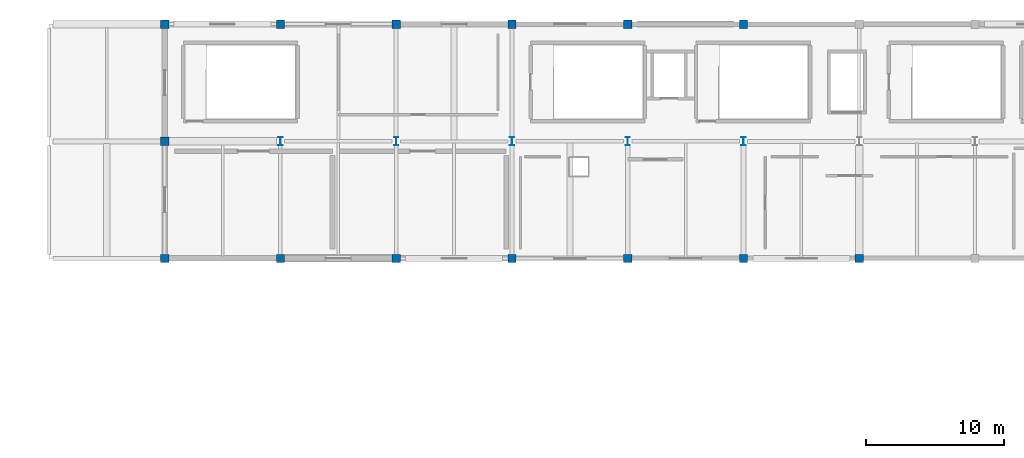
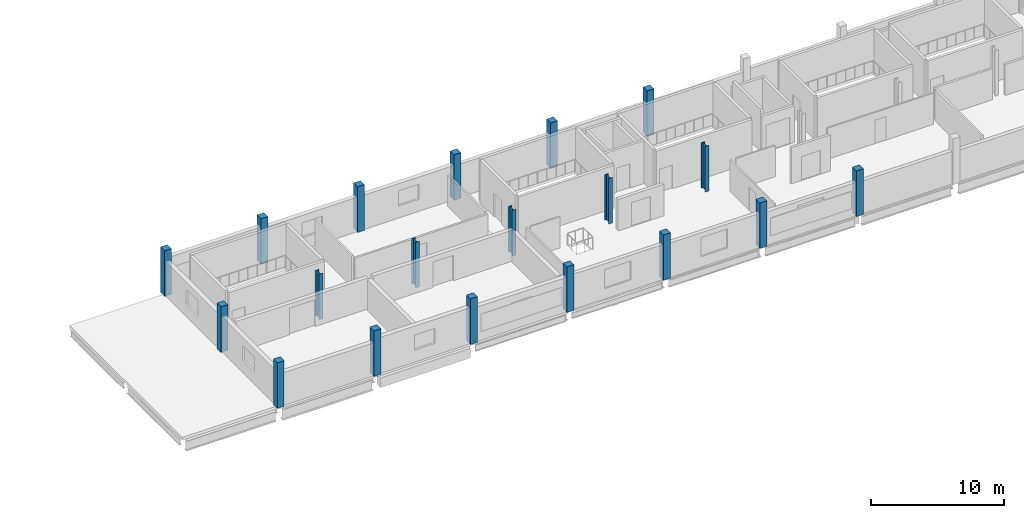
# One storey, part 1 of 13: 19 columns.
"""IFC4 building model written with IfcOpenShell, lengths in metres."""

from ifc_helpers import new_model, si_unit, direction, frame, origin, origin_2d, place, context, subcontext, project, spatial, rectangle, i_section, extrude, material, material_profile, profile_set, type_object, element, save


model = new_model("IFC4")

# Units and contexts
model_context = context("Model", 3, precision=1e-05, world=origin(), true_north=direction((0.0, 1.0)))
body_context = subcontext(model_context, "Body", "Model", "MODEL_VIEW")
ifc_project = project(units=[si_unit("LENGTHUNIT", "METRE"), si_unit("AREAUNIT", "SQUARE_METRE"), si_unit("VOLUMEUNIT", "CUBIC_METRE"), si_unit("PLANEANGLEUNIT", "RADIAN"), si_unit("MASSUNIT", "GRAM", prefix="KILO")], contexts=[model_context])

# Site, building, storey
site_placement = place(None, origin())
site = spatial("IfcSite", under=ifc_project, at=site_placement, CompositionType="ELEMENT")
building_placement = place(site_placement, origin())
building = spatial("IfcBuilding", under=site, at=building_placement, Name="Solvento Point Concert Hall", CompositionType="ELEMENT")
storey_placement = place(building_placement, frame((0.0, 0.0, 23.699951171875)))
storey = spatial("IfcBuildingStorey", under=building, at=storey_placement, Name="L05", CompositionType="ELEMENT", Elevation=23.699951171875)

# Columns
ifc_material_1 = material(Name="Concrete C40/50", Category="concrete")
ifc_material_profile_1 = material_profile(ifc_material_1, rectangle(XDim=0.60009765625, YDim=0.60009765625, at=origin_2d()), Name="RC-COL-600X600")
ifc_profile_set_1 = profile_set([ifc_material_profile_1], Name="Concrete C40/50")
column_type_1 = type_object("IfcColumnType", Name="Col_RC_600", PredefinedType="COLUMN", material=ifc_profile_set_1)
for number, where, z_axis, x_axis, name in (
    (1, (141.60009765625, 119.0, 0.0), (0.0, 0.0, 1.0), (1.0, 0.0, 0.0), "Column C-88 18/Q L05"),
    (2, (141.60009765625, 127.5, 0.0), (0.0, 0.0, 1.0), (1.0, 0.0, 0.0), "Column C-88 18/R L05"),
    (3, (141.60009765625, 136.0, 0.0), (0.0, 0.0, 1.0), (1.0, 0.0, 0.0), "Column C-88 18/S L05"),
    (4, (150.0, 119.0, 0.0), (0.0, 0.0, 1.0), (1.0, 0.0, 0.0), "Column C-88 19/Q L05"),
    (5, (150.0, 136.0, 0.0), (0.0, 0.0, 1.0), (1.0, 0.0, 0.0), "Column C-88 19/S L05"),
    (6, (158.39990234375, 119.0, 0.0), (0.0, 0.0, 1.0), (1.0, 0.0, 0.0), "Column C-88 20/Q L05"),
    (7, (158.39990234375, 136.0, 0.0), (0.0, 0.0, 1.0), (1.0, 0.0, 0.0), "Column C-88 20/S L05"),
    (8, (166.800048828125, 119.0, 0.0), (0.0, 0.0, 1.0), (1.0, 0.0, 0.0), "Column C-88 21/Q L05"),
    (9, (166.800048828125, 136.0, 0.0), (0.0, 0.0, 1.0), (1.0, 0.0, 0.0), "Column C-88 21/S L05"),
    (10, (175.199951171875, 119.0, 0.0), (0.0, 0.0, 1.0), (1.0, 0.0, 0.0), "Column C-88 22/Q L05"),
    (11, (175.199951171875, 136.0, 0.0), (0.0, 0.0, 1.0), (1.0, 0.0, 0.0), "Column C-88 22/S L05"),
    (12, (183.60009765625, 119.0, 0.0), (0.0, 0.0, 1.0), (1.0, 0.0, 0.0), "Column C-88 23/Q L05"),
    (13, (183.60009765625, 136.0, 0.0), (0.0, 0.0, 1.0), (1.0, 0.0, 0.0), "Column C-88 23/S L05"),
    (14, (192.0, 119.0, 0.0), (0.0, 0.0, 1.0), (1.0, 0.0, 0.0), "Column C-88 24/Q L05"),
):
    element("IfcColumn", number, at=place(storey_placement, frame(where, z_axis=z_axis, x_axis=x_axis)), inside=storey, type_object=column_type_1, Name=name, PredefinedType="COLUMN", context=body_context, shape_type="SweptSolid", body=[
        extrude(rectangle(XDim=0.60009765625, YDim=0.60009765625, at=origin_2d()), origin(), (0.0, 0.0, 1.0), 4.199951171875),
    ])
ifc_material_2 = material(Name="Structural Steel ASTM A992 Grade 50", Category="steel")
ifc_material_profile_2 = material_profile(ifc_material_2, i_section(OverallWidth=0.323974609375, OverallDepth=0.611083984375, WebThickness=0.0126953125, FlangeThickness=0.01904296875, at=origin_2d()), Name="W24X104")
ifc_profile_set_2 = profile_set([ifc_material_profile_2], Name="Structural Steel ASTM A992 Grade 50")
column_type_2 = type_object("IfcColumnType", Name="Col_Steel_W24X104", PredefinedType="COLUMN", material=ifc_profile_set_2)
for number, where, z_axis, x_axis, name in (
    (15, (150.0, 127.5, 0.0), (0.0, 0.0, 1.0), (1.0, 0.0, 0.0), "Column C-45 19/R L05"),
    (16, (158.39990234375, 127.5, 0.0), (0.0, 0.0, 1.0), (1.0, 0.0, 0.0), "Column C-45 20/R L05"),
    (17, (166.800048828125, 127.5, 0.0), (0.0, 0.0, 1.0), (1.0, 0.0, 0.0), "Column C-45 21/R L05"),
    (18, (175.199951171875, 127.5, 0.0), (0.0, 0.0, 1.0), (1.0, 0.0, 0.0), "Column C-45 22/R L05"),
    (19, (183.60009765625, 127.5, 0.0), (0.0, 0.0, 1.0), (1.0, 0.0, 0.0), "Column C-45 23/R L05"),
):
    element("IfcColumn", number, at=place(storey_placement, frame(where, z_axis=z_axis, x_axis=x_axis)), inside=storey, type_object=column_type_2, Name=name, PredefinedType="COLUMN", context=body_context, shape_type="SweptSolid", body=[
        extrude(i_section(OverallWidth=0.323974609375, OverallDepth=0.611083984375, WebThickness=0.0126953125, FlangeThickness=0.01904296875, at=origin_2d()), origin(), (0.0, 0.0, 1.0), 4.199951171875),
    ])

save(model, "model.ifc")
